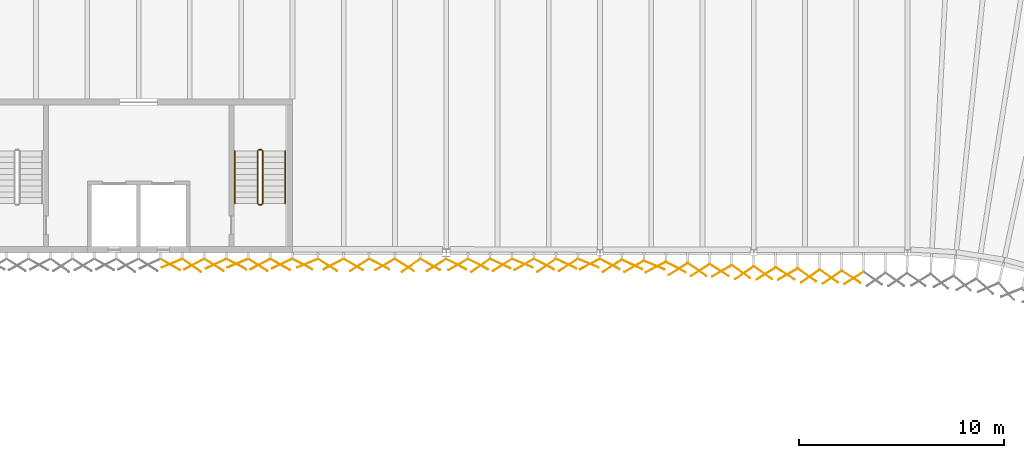
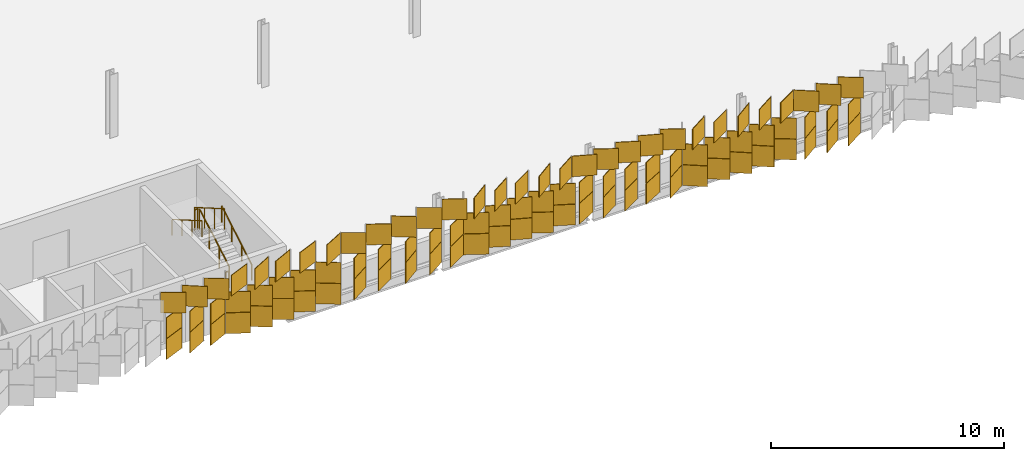
# One storey, part 191 of 198: 93 coverings, 6 railings.
"""IFC4 building model written with IfcOpenShell, lengths in metres."""

import ifcopenshell
import ifcopenshell.guid

model = None  # the IFC model being written
_history = None  # IfcOwnerHistory: only IFC2X3 demands one
_inside = {}  # id of a spatial element -> (the spatial element, [elements in it])
_under = {}  # id of a project, library or spatial element -> (it, [spatial elements below it])
_declared = {}  # id of a project -> (the project, [libraries it declares])
_typed = {}  # id of a type object -> (the type object, [elements of that type])
_made_of = {}  # id of a material, layer set ... -> (it, [elements and type objects made of it])


def new_model(schema):
    """Start an empty IFC model of exactly this schema.

    Asked for "IFC4X3", IfcOpenShell would pick the latest addendum, in which some entities
    have other attributes; the version numbers below select the first issue.
    IFC2X3 requires an IfcOwnerHistory on every rooted entity: one is made here for all.
    """
    global model, _history
    if schema == "IFC4X3":
        model = ifcopenshell.file(schema_version=(4, 3, 0, 0))
    else:
        model = ifcopenshell.file(schema=schema)
    _inside.clear()
    _under.clear()
    _declared.clear()
    _typed.clear()
    _made_of.clear()
    _history = None
    if model.schema == "IFC2X3":
        org = make("IfcOrganization", Name="unknown")
        user = make(
            "IfcPersonAndOrganization",
            ThePerson=make("IfcPerson", FamilyName="unknown"),
            TheOrganization=org,
        )
        app = make(
            "IfcApplication",
            ApplicationDeveloper=org,
            Version="unknown",
            ApplicationFullName="unknown",
            ApplicationIdentifier="unknown",
        )
        _history = make(
            "IfcOwnerHistory",
            OwningUser=user,
            OwningApplication=app,
            ChangeAction="ADDED",
            CreationDate=0,
        )
    return model


def make(cls, **values):
    """One entity of the class cls with the attributes given. An attribute that is None is left unset."""
    return model.create_entity(
        cls, **{name: value for name, value in values.items() if value is not None}
    )


def rooted(cls, **values):
    """An entity with a GlobalId (a new one), such as an element, a storey or a relation."""
    return make(cls, GlobalId=ifcopenshell.guid.new(), OwnerHistory=_history, **values)


def si_unit(unit_type, name, prefix=None):
    """IfcSIUnit, for example si_unit("LENGTHUNIT", "METRE", prefix="MILLI")."""
    return make("IfcSIUnit", UnitType=unit_type, Prefix=prefix, Name=name)


def assignment(units):
    """IfcUnitAssignment: the units of a project."""
    return None if units is None else make("IfcUnitAssignment", Units=units)


def point(xyz):
    """IfcCartesianPoint."""
    return None if xyz is None else make("IfcCartesianPoint", Coordinates=xyz)


def direction(xyz):
    """IfcDirection."""
    return None if xyz is None else make("IfcDirection", DirectionRatios=xyz)


def frame(location, z_axis=None, x_axis=None):
    """IfcAxis2Placement3D, a coordinate frame: its origin and axes. An axis left out is left unset."""
    return make(
        "IfcAxis2Placement3D",
        Location=point(location),
        Axis=direction(z_axis),
        RefDirection=direction(x_axis),
    )


def frame_2d(location, x_axis=None):
    """IfcAxis2Placement2D, a coordinate frame in the plane: its origin and x axis."""
    return make(
        "IfcAxis2Placement2D", Location=point(location), RefDirection=direction(x_axis)
    )


def origin():
    """The frame at (0, 0, 0) with its axes left unset."""
    return frame((0.0, 0.0, 0.0))


def origin_2d():
    """The frame at (0, 0) in the plane with its x axis left unset."""
    return frame_2d((0.0, 0.0))


def place(relative_to, where):
    """IfcLocalPlacement: puts the frame where relative to a parent placement (None: the world)."""
    return make(
        "IfcLocalPlacement", PlacementRelTo=relative_to, RelativePlacement=where
    )


def context(
    kind, dimensions, precision=None, world=None, true_north=None, identifier=None
):
    """IfcGeometricRepresentationContext, for example the 3D "Model" context."""
    return make(
        "IfcGeometricRepresentationContext",
        ContextIdentifier=identifier,
        ContextType=kind,
        CoordinateSpaceDimension=dimensions,
        Precision=precision,
        WorldCoordinateSystem=world,
        TrueNorth=true_north,
    )


def subcontext(parent, identifier, kind, view, scale=None):
    """IfcGeometricRepresentationSubContext, for example "Body" below "Model"."""
    return make(
        "IfcGeometricRepresentationSubContext",
        ContextIdentifier=identifier,
        ContextType=kind,
        ParentContext=parent,
        TargetScale=scale,
        TargetView=view,
    )


def project(units=None, contexts=None):
    """IfcProject with its units and contexts."""
    return rooted(
        "IfcProject",
        Name="project",
        RepresentationContexts=contexts,
        UnitsInContext=assignment(units),
    )


def spatial(cls, under=None, at=None, **own):
    """A site, building, storey or space (cls), placed at a placement, below another one or the project."""
    s = rooted(cls, ObjectPlacement=at, **own)
    if under is not None:
        _under.setdefault(under.id(), (under, []))[1].append(s)
    return s


def profile(cls, at=None, kind="AREA", **sizes):
    """A parametric profile (cls). Its sizes go by their IFC names, for example OverallWidth=200.0."""
    return make(cls, ProfileType=kind, Position=at, **sizes)


def rectangle(**sizes):
    """IfcRectangleProfileDef."""
    return profile("IfcRectangleProfileDef", **sizes)


def circle(**sizes):
    """IfcCircleProfileDef."""
    return profile("IfcCircleProfileDef", **sizes)


def extrude(swept, where, along, depth):
    """IfcExtrudedAreaSolid: the profile swept, set in the frame where, extruded along a direction by depth."""
    return make(
        "IfcExtrudedAreaSolid",
        SweptArea=swept,
        Position=where,
        ExtrudedDirection=direction(along),
        Depth=depth,
    )


def shape(context_of_items, identifier, shape_type, items):
    """IfcShapeRepresentation: the items that make up one representation, for example the "Body"."""
    return make(
        "IfcShapeRepresentation",
        ContextOfItems=context_of_items,
        RepresentationIdentifier=identifier,
        RepresentationType=shape_type,
        Items=items,
    )


def material(Name=None, Category=None):
    """IfcMaterial."""
    return make("IfcMaterial", Name=Name, Category=Category)


def layer(
    of_material, thickness, ventilated=None, Name=None, Category=None, Priority=None
):
    """IfcMaterialLayer: one layer of a wall or slab, of a material (None: an air gap)."""
    return make(
        "IfcMaterialLayer",
        Material=of_material,
        LayerThickness=thickness,
        IsVentilated=ventilated,
        Name=Name,
        Category=Category,
        Priority=Priority,
    )


def layer_set(layers, Name=None):
    """IfcMaterialLayerSet."""
    return make("IfcMaterialLayerSet", MaterialLayers=layers, LayerSetName=Name)


def made_of(thing, what):
    """Note that an element or type object is made of a material, layer set ...; save() writes the relation."""
    if what is not None:
        _made_of.setdefault(what.id(), (what, []))[1].append(thing)
    return thing


def type_object(cls, material=None, **own):
    """A type object (cls), such as IfcWallType, which elements share."""
    return made_of(rooted(cls, **own), material)


def element(
    cls,
    number,
    at=None,
    inside=None,
    cuts=None,
    type_object=None,
    material=None,
    context=None,
    identifier="Body",
    shape_type=None,
    held_by="IfcProductDefinitionShape",
    body=None,
    shapes=None,
    **own,
):
    """One element of the class cls, such as IfcWall. Its Tag is "e" and its number.

    at: its placement. inside: the storey or other place that contains it. cuts: it is an
    opening in that element (IfcRelVoidsElement). A single representation is given by context,
    identifier, shape_type and body (its items); several are given by shapes. held_by: the class
    of the entity that holds the representations. save() writes the other relations.
    """
    e = rooted(cls, Tag="e%d" % number, ObjectPlacement=at, **own)
    if body is not None:
        shapes = [shape(context, identifier, shape_type, body)]
    if shapes is not None:
        e.Representation = make(held_by, Representations=shapes)
    if inside is not None:
        _inside.setdefault(inside.id(), (inside, []))[1].append(e)
    if cuts is not None:
        rooted(
            "IfcRelVoidsElement", RelatingBuildingElement=cuts, RelatedOpeningElement=e
        )
    if type_object is not None:
        _typed.setdefault(type_object.id(), (type_object, []))[1].append(e)
    return made_of(e, material)


def aggregate(whole, parts):
    """IfcRelAggregates: a whole, such as a stair, and the parts it consists of."""
    return rooted("IfcRelAggregates", RelatingObject=whole, RelatedObjects=parts)


def save(model, path):
    """Write the relations noted so far, then the file.

    IfcRelAggregates (storeys below a building ...), IfcRelContainedInSpatialStructure (elements
    in a storey), IfcRelDefinesByType, IfcRelAssociatesMaterial and IfcRelDeclares: one each for
    every whole, place, type object, material and project.
    """
    for whole, parts in _under.values():
        aggregate(whole, parts)
    for where, things in _inside.values():
        rooted(
            "IfcRelContainedInSpatialStructure",
            RelatedElements=things,
            RelatingStructure=where,
        )
    for kind, things in _typed.values():
        rooted("IfcRelDefinesByType", RelatedObjects=things, RelatingType=kind)
    for what, things in _made_of.values():
        rooted("IfcRelAssociatesMaterial", RelatedObjects=things, RelatingMaterial=what)
    for by, libraries in _declared.values():
        rooted("IfcRelDeclares", RelatingContext=by, RelatedDefinitions=libraries)
    model.write(path)


model = new_model("IFC4")

# Units and contexts
model_context = context("Model", 3, precision=1e-05, world=origin(), true_north=direction((0.0, 1.0)))
body_context = subcontext(model_context, "Body", "Model", "MODEL_VIEW")
ifc_project = project(units=[si_unit("LENGTHUNIT", "METRE"), si_unit("AREAUNIT", "SQUARE_METRE"), si_unit("VOLUMEUNIT", "CUBIC_METRE"), si_unit("PLANEANGLEUNIT", "RADIAN"), si_unit("MASSUNIT", "GRAM", prefix="KILO")], contexts=[model_context])

# Site, building, storey
site_placement = place(None, origin())
site = spatial("IfcSite", under=ifc_project, at=site_placement, CompositionType="ELEMENT")
building_placement = place(site_placement, origin())
building = spatial("IfcBuilding", under=site, at=building_placement, Name="Parallax Yard Mobility Hub", CompositionType="ELEMENT")
storey_placement = place(building_placement, frame((0.0, 0.0, 6.60009765625)))
storey = spatial("IfcBuildingStorey", under=building, at=storey_placement, Name="L02", CompositionType="ELEMENT", Elevation=6.60009765625)

# Coverings
ifc_material_1 = material(Name="Aluminium panel, champagne finish", Category="aluminium")
ifc_layer_1 = layer(ifc_material_1, 0.030029296875)
ifc_layer_set_1 = layer_set([ifc_layer_1], Name="Skin panel 22.5 degree turn, champagne finish")
covering_type_1 = type_object("IfcCoveringType", Name="Skin panel 22.5 degree turn, champagne finish", PredefinedType="CLADDING", material=ifc_layer_set_1)
for number, where, z_axis, x_axis, name in (
    (1, (136.622802734375, 111.987060546875, 1.119873046875), (0.0, 0.0, 1.0), (-0.923879532511, -0.382683432365, 0.0), "Skin panel 22.5 bay 13.9 row 2 level L02"),
    (2, (139.839599609375, 111.987060546875, 2.219970703125), (0.0, 0.0, 1.0), (-0.923879532511, -0.382683432365, 0.0), "Skin panel 22.5 bay 13.12 row 3 level L02"),
    (3, (143.2333984375, 111.987060546875, 2.219970703125), (0.0, 0.0, 1.0), (-0.923879532511, -0.382683432365, 0.0), "Skin panel 22.5 bay 14.1 row 3 level L02"),
    (4, (153.721923828125, 111.987060546875, 1.119873046875), (0.0, 0.0, 1.0), (0.923879532511, -0.382683432365, 0.0), "Skin panel 22.5 bay 15.4 row 2 level L02"),
    (5, (156.9365234375, 111.987060546875, 2.219970703125), (0.0, 0.0, 1.0), (0.923879532511, -0.382683432365, 0.0), "Skin panel 22.5 bay 15.7 row 3 level L02"),
    (6, (160.151123046875, 111.892578125, 2.219970703125), (0.0, 0.0, 1.0), (0.923879532511, -0.382683432365, 0.0), "Skin panel 22.5 bay 16.3 row 3 level L02"),
):
    element("IfcCovering", number, at=place(storey_placement, frame(where, z_axis=z_axis, x_axis=x_axis)), inside=storey, type_object=covering_type_1, Name=name, ObjectType="SCREEN", PredefinedType="CLADDING", context=body_context, shape_type="SweptSolid", body=[
        extrude(rectangle(XDim=1.080078125, YDim=0.030029296875, at=origin_2d()), origin(), (0.0, 0.0, 1.0), 1.080078125),
    ])
ifc_material_2 = material(Name="Aluminium panel, light oak finish", Category="aluminium")
ifc_layer_2 = layer(ifc_material_2, 0.030029296875)
ifc_layer_set_2 = layer_set([ifc_layer_2], Name="Skin panel 22.5 degree turn, oak finish")
covering_type_2 = type_object("IfcCoveringType", Name="Skin panel 22.5 degree turn, oak finish", PredefinedType="CLADDING", material=ifc_layer_set_2)
for number, where, z_axis, x_axis, name in (
    (7, (136.622802734375, 111.987060546875, 0.019775390625), (0.0, 0.0, 1.0), (-0.923879532511, -0.382683432365, 0.0), "Skin panel 22.5 bay 13.9 row 1 level L02"),
    (8, (153.721923828125, 111.987060546875, 0.019775390625), (0.0, 0.0, 1.0), (0.923879532511, -0.382683432365, 0.0), "Skin panel 22.5 bay 15.4 row 1 level L02"),
):
    element("IfcCovering", number, at=place(storey_placement, frame(where, z_axis=z_axis, x_axis=x_axis)), inside=storey, type_object=covering_type_2, Name=name, ObjectType="SCREEN", PredefinedType="CLADDING", context=body_context, shape_type="SweptSolid", body=[
        extrude(rectangle(XDim=1.080078125, YDim=0.030029296875, at=origin_2d()), origin(), (0.0, 0.0, 1.0), 1.080078125),
    ])
ifc_layer_3 = layer(ifc_material_1, 0.030029296875)
ifc_layer_set_3 = layer_set([ifc_layer_3], Name="Skin panel 25 degree turn, champagne finish")
covering_type_3 = type_object("IfcCoveringType", Name="Skin panel 25 degree turn, champagne finish", PredefinedType="CLADDING", material=ifc_layer_set_3)
for number, where, z_axis, x_axis, name in (
    (9, (138.777099609375, 111.96484375, 1.119873046875), (0.0, 0.0, 1.0), (-0.906307787037, -0.422618261741, 0.0), "Skin panel 25 bay 13.11 row 2 level L02"),
    (10, (141.993896484375, 111.96484375, 2.219970703125), (0.0, 0.0, 1.0), (-0.906307787037, -0.422618261741, 0.0), "Skin panel 25 bay 13.14 row 3 level L02"),
    (11, (152.640869140625, 111.96484375, 1.119873046875), (0.0, 0.0, 1.0), (0.906307787037, -0.422618261741, 0.0), "Skin panel 25 bay 15.3 row 2 level L02"),
    (12, (155.855224609375, 111.96484375, 1.119873046875), (0.0, 0.0, 1.0), (0.906307787037, -0.422618261741, 0.0), "Skin panel 25 bay 15.6 row 2 level L02"),
    (13, (159.06982421875, 111.923828125, 2.219970703125), (0.0, 0.0, 1.0), (0.906307787037, -0.422618261741, 0.0), "Skin panel 25 bay 16.2 row 3 level L02"),
):
    element("IfcCovering", number, at=place(storey_placement, frame(where, z_axis=z_axis, x_axis=x_axis)), inside=storey, type_object=covering_type_3, Name=name, ObjectType="SCREEN", PredefinedType="CLADDING", context=body_context, shape_type="SweptSolid", body=[
        extrude(rectangle(XDim=1.080078125, YDim=0.030029296875, at=origin_2d()), origin(), (0.0, 0.0, 1.0), 1.080078125),
    ])
ifc_layer_4 = layer(ifc_material_2, 0.030029296875)
ifc_layer_set_4 = layer_set([ifc_layer_4], Name="Skin panel 25 degree turn, oak finish")
covering_type_4 = type_object("IfcCoveringType", Name="Skin panel 25 degree turn, oak finish", PredefinedType="CLADDING", material=ifc_layer_set_4)
for number, where, z_axis, x_axis, name in (
    (14, (138.777099609375, 111.96484375, 0.019775390625), (0.0, 0.0, 1.0), (-0.906307787037, -0.422618261741, 0.0), "Skin panel 25 bay 13.11 row 1 level L02"),
    (15, (152.640869140625, 111.96484375, 0.019775390625), (0.0, 0.0, 1.0), (0.906307787037, -0.422618261741, 0.0), "Skin panel 25 bay 15.3 row 1 level L02"),
    (16, (155.855224609375, 111.96484375, 0.019775390625), (0.0, 0.0, 1.0), (0.906307787037, -0.422618261741, 0.0), "Skin panel 25 bay 15.6 row 1 level L02"),
):
    element("IfcCovering", number, at=place(storey_placement, frame(where, z_axis=z_axis, x_axis=x_axis)), inside=storey, type_object=covering_type_4, Name=name, ObjectType="SCREEN", PredefinedType="CLADDING", context=body_context, shape_type="SweptSolid", body=[
        extrude(rectangle(XDim=1.080078125, YDim=0.030029296875, at=origin_2d()), origin(), (0.0, 0.0, 1.0), 1.080078125),
    ])
ifc_layer_5 = layer(ifc_material_1, 0.030029296875)
ifc_layer_set_5 = layer_set([ifc_layer_5], Name="Skin panel 27.5 degree turn, champagne finish")
covering_type_5 = type_object("IfcCoveringType", Name="Skin panel 27.5 degree turn, champagne finish", PredefinedType="CLADDING", material=ifc_layer_set_5)
for number, where, z_axis, x_axis, name in (
    (17, (137.7158203125, 111.943115234375, 1.119873046875), (0.0, 0.0, 1.0), (-0.887010833178, -0.461748613235, 0.0), "Skin panel 27.5 bay 13.10 row 2 level L02"),
    (18, (139.77490234375, 111.943115234375, 1.119873046875), (0.0, 0.0, 1.0), (0.887010833178, -0.461748613235, 0.0), "Skin panel 27.5 bay 13.12 row 2 level L02"),
    (19, (140.932373046875, 111.943115234375, 2.219970703125), (0.0, 0.0, 1.0), (-0.887010833178, -0.461748613235, 0.0), "Skin panel 27.5 bay 13.13 row 3 level L02"),
    (20, (142.991455078125, 111.943115234375, 1.119873046875), (0.0, 0.0, 1.0), (0.887010833178, -0.461748613235, 0.0), "Skin panel 27.5 bay 14.1 row 2 level L02"),
    (21, (144.5029296875, 111.943115234375, 2.219970703125), (0.0, 0.0, 1.0), (-0.887010833178, -0.461748613235, 0.0), "Skin panel 27.5 bay 14.2 row 3 level L02"),
    (22, (146.7392578125, 111.943115234375, 2.219970703125), (0.0, 0.0, 1.0), (0.887010833178, -0.461748613235, 0.0), "Skin panel 27.5 bay 14.4 row 3 level L02"),
    (23, (150.487060546875, 111.943115234375, 2.219970703125), (0.0, 0.0, 1.0), (0.887010833178, -0.461748613235, 0.0), "Skin panel 27.5 bay 15.1 row 3 level L02"),
    (24, (151.55859375, 111.943115234375, 1.119873046875), (0.0, 0.0, 1.0), (0.887010833178, -0.461748613235, 0.0), "Skin panel 27.5 bay 15.2 row 2 level L02"),
    (25, (154.77294921875, 111.943115234375, 1.119873046875), (0.0, 0.0, 1.0), (0.887010833178, -0.461748613235, 0.0), "Skin panel 27.5 bay 15.5 row 2 level L02"),
    (26, (157.00048828125, 111.943115234375, 1.119873046875), (0.0, 0.0, 1.0), (-0.887010833178, -0.461748613235, 0.0), "Skin panel 27.5 bay 15.7 row 2 level L02"),
    (27, (157.987548828125, 111.943115234375, 2.219970703125), (0.0, 0.0, 1.0), (0.887010833178, -0.461748613235, 0.0), "Skin panel 27.5 bay 16.1 row 3 level L02"),
    (28, (160.215087890625, 111.794921875, 1.119873046875), (0.0, 0.0, 1.0), (-0.887010833178, -0.461748613235, 0.0), "Skin panel 27.5 bay 16.3 row 2 level L02"),
    (29, (161.2021484375, 111.794921875, 2.219970703125), (0.0, 0.0, 1.0), (0.887010833178, -0.461748613235, 0.0), "Skin panel 27.5 bay 16.4 row 3 level L02"),
):
    element("IfcCovering", number, at=place(storey_placement, frame(where, z_axis=z_axis, x_axis=x_axis)), inside=storey, type_object=covering_type_5, Name=name, ObjectType="SCREEN", PredefinedType="CLADDING", context=body_context, shape_type="SweptSolid", body=[
        extrude(rectangle(XDim=1.080078125, YDim=0.030029296875, at=origin_2d()), origin(), (0.0, 0.0, 1.0), 1.080078125),
    ])
ifc_layer_6 = layer(ifc_material_2, 0.030029296875)
ifc_layer_set_6 = layer_set([ifc_layer_6], Name="Skin panel 27.5 degree turn, oak finish")
covering_type_6 = type_object("IfcCoveringType", Name="Skin panel 27.5 degree turn, oak finish", PredefinedType="CLADDING", material=ifc_layer_set_6)
for number, where, z_axis, x_axis, name in (
    (30, (137.7158203125, 111.943115234375, 0.019775390625), (0.0, 0.0, 1.0), (-0.887010833178, -0.461748613235, 0.0), "Skin panel 27.5 bay 13.10 row 1 level L02"),
    (31, (139.77490234375, 111.943115234375, 0.019775390625), (0.0, 0.0, 1.0), (0.887010833178, -0.461748613235, 0.0), "Skin panel 27.5 bay 13.12 row 1 level L02"),
    (32, (142.991455078125, 111.943115234375, 0.019775390625), (0.0, 0.0, 1.0), (0.887010833178, -0.461748613235, 0.0), "Skin panel 27.5 bay 14.1 row 1 level L02"),
    (33, (151.55859375, 111.943115234375, 0.019775390625), (0.0, 0.0, 1.0), (0.887010833178, -0.461748613235, 0.0), "Skin panel 27.5 bay 15.2 row 1 level L02"),
    (34, (154.77294921875, 111.943115234375, 0.019775390625), (0.0, 0.0, 1.0), (0.887010833178, -0.461748613235, 0.0), "Skin panel 27.5 bay 15.5 row 1 level L02"),
    (35, (157.00048828125, 111.943115234375, 0.019775390625), (0.0, 0.0, 1.0), (-0.887010833178, -0.461748613235, 0.0), "Skin panel 27.5 bay 15.7 row 1 level L02"),
    (36, (160.215087890625, 111.794921875, 0.019775390625), (0.0, 0.0, 1.0), (-0.887010833178, -0.461748613235, 0.0), "Skin panel 27.5 bay 16.3 row 1 level L02"),
):
    element("IfcCovering", number, at=place(storey_placement, frame(where, z_axis=z_axis, x_axis=x_axis)), inside=storey, type_object=covering_type_6, Name=name, ObjectType="SCREEN", PredefinedType="CLADDING", context=body_context, shape_type="SweptSolid", body=[
        extrude(rectangle(XDim=1.080078125, YDim=0.030029296875, at=origin_2d()), origin(), (0.0, 0.0, 1.0), 1.080078125),
    ])
ifc_layer_7 = layer(ifc_material_1, 0.030029296875)
ifc_layer_set_7 = layer_set([ifc_layer_7], Name="Skin panel 30 degree turn, champagne finish")
covering_type_7 = type_object("IfcCoveringType", Name="Skin panel 30 degree turn, champagne finish", PredefinedType="CLADDING", material=ifc_layer_set_7)
for number, where, z_axis, x_axis, name in (
    (37, (136.54638671875, 111.921875, 2.219970703125), (0.0, 0.0, 1.0), (0.866025403784, -0.5, 0.0), "Skin panel 30 bay 13.9 row 3 level L02"),
    (38, (141.90771484375, 111.921875, 1.119873046875), (0.0, 0.0, 1.0), (0.866025403784, -0.5, 0.0), "Skin panel 30 bay 13.14 row 2 level L02"),
    (39, (145.478271484375, 111.921875, 2.219970703125), (0.0, 0.0, 1.0), (0.866025403784, -0.5, 0.0), "Skin panel 30 bay 14.3 row 3 level L02"),
    (40, (147.01318359375, 111.921875, 1.119873046875), (0.0, 0.0, 1.0), (-0.866025403784, -0.5, 0.0), "Skin panel 30 bay 14.4 row 2 level L02"),
    (41, (149.22607421875, 111.921875, 2.219970703125), (0.0, 0.0, 1.0), (0.866025403784, -0.5, 0.0), "Skin panel 30 bay 14.6 row 3 level L02"),
    (42, (150.583251953125, 111.921875, 1.119873046875), (0.0, 0.0, 1.0), (-0.866025403784, -0.5, 0.0), "Skin panel 30 bay 15.1 row 2 level L02"),
    (43, (153.797607421875, 111.921875, 2.219970703125), (0.0, 0.0, 1.0), (-0.866025403784, -0.5, 0.0), "Skin panel 30 bay 15.4 row 3 level L02"),
    (44, (159.1552734375, 111.8271484375, 1.119873046875), (0.0, 0.0, 1.0), (-0.866025403784, -0.5, 0.0), "Skin panel 30 bay 16.2 row 2 level L02"),
    (45, (163.44140625, 111.61279296875, 2.219970703125), (0.0, 0.0, 1.0), (-0.866025403784, -0.5, 0.0), "Skin panel 30 bay 16.6 row 3 level L02"),
    (46, (166.65576171875, 111.4521484375, 2.219970703125), (0.0, 0.0, 1.0), (-0.866025403784, -0.5, 0.0), "Skin panel 30 bay 17.2 row 3 level L02"),
):
    element("IfcCovering", number, at=place(storey_placement, frame(where, z_axis=z_axis, x_axis=x_axis)), inside=storey, type_object=covering_type_7, Name=name, ObjectType="SCREEN", PredefinedType="CLADDING", context=body_context, shape_type="SweptSolid", body=[
        extrude(rectangle(XDim=1.080078125, YDim=0.030029296875, at=origin_2d()), origin(), (0.0, 0.0, 1.0), 1.080078125),
    ])
ifc_layer_8 = layer(ifc_material_2, 0.030029296875)
ifc_layer_set_8 = layer_set([ifc_layer_8], Name="Skin panel 30 degree turn, oak finish")
covering_type_8 = type_object("IfcCoveringType", Name="Skin panel 30 degree turn, oak finish", PredefinedType="CLADDING", material=ifc_layer_set_8)
for number, where, z_axis, x_axis, name in (
    (47, (141.90771484375, 111.921875, 0.019775390625), (0.0, 0.0, 1.0), (0.866025403784, -0.5, 0.0), "Skin panel 30 bay 13.14 row 1 level L02"),
    (48, (147.01318359375, 111.921875, 0.019775390625), (0.0, 0.0, 1.0), (-0.866025403784, -0.5, 0.0), "Skin panel 30 bay 14.4 row 1 level L02"),
    (49, (150.583251953125, 111.921875, 0.019775390625), (0.0, 0.0, 1.0), (-0.866025403784, -0.5, 0.0), "Skin panel 30 bay 15.1 row 1 level L02"),
    (50, (159.1552734375, 111.8271484375, 0.019775390625), (0.0, 0.0, 1.0), (-0.866025403784, -0.5, 0.0), "Skin panel 30 bay 16.2 row 1 level L02"),
):
    element("IfcCovering", number, at=place(storey_placement, frame(where, z_axis=z_axis, x_axis=x_axis)), inside=storey, type_object=covering_type_8, Name=name, ObjectType="SCREEN", PredefinedType="CLADDING", context=body_context, shape_type="SweptSolid", body=[
        extrude(rectangle(XDim=1.080078125, YDim=0.030029296875, at=origin_2d()), origin(), (0.0, 0.0, 1.0), 1.080078125),
    ])
ifc_layer_9 = layer(ifc_material_1, 0.030029296875)
ifc_layer_set_9 = layer_set([ifc_layer_9], Name="Skin panel 32.5 degree turn, champagne finish")
covering_type_9 = type_object("IfcCoveringType", Name="Skin panel 32.5 degree turn, champagne finish", PredefinedType="CLADDING", material=ifc_layer_set_9)
for number, where, z_axis, x_axis, name in (
    (51, (138.678466796875, 111.901123046875, 2.219970703125), (0.0, 0.0, 1.0), (0.843391445813, -0.537299608347, 0.0), "Skin panel 32.5 bay 13.11 row 3 level L02"),
    (52, (140.82275390625, 111.901123046875, 1.119873046875), (0.0, 0.0, 1.0), (0.843391445813, -0.537299608347, 0.0), "Skin panel 32.5 bay 13.13 row 2 level L02"),
    (53, (144.216552734375, 111.901123046875, 1.119873046875), (0.0, 0.0, 1.0), (0.843391445813, -0.537299608347, 0.0), "Skin panel 32.5 bay 14.2 row 2 level L02"),
    (54, (145.776611328125, 111.901123046875, 1.119873046875), (0.0, 0.0, 1.0), (-0.843391445813, -0.537299608347, 0.0), "Skin panel 32.5 bay 14.3 row 2 level L02"),
    (55, (147.96435546875, 111.901123046875, 2.219970703125), (0.0, 0.0, 1.0), (0.843391445813, -0.537299608347, 0.0), "Skin panel 32.5 bay 14.5 row 3 level L02"),
    (56, (149.5244140625, 111.901123046875, 1.119873046875), (0.0, 0.0, 1.0), (-0.843391445813, -0.537299608347, 0.0), "Skin panel 32.5 bay 14.6 row 2 level L02"),
    (57, (152.73876953125, 111.901123046875, 2.219970703125), (0.0, 0.0, 1.0), (-0.843391445813, -0.537299608347, 0.0), "Skin panel 32.5 bay 15.3 row 3 level L02"),
    (58, (155.953369140625, 111.901123046875, 2.219970703125), (0.0, 0.0, 1.0), (-0.843391445813, -0.537299608347, 0.0), "Skin panel 32.5 bay 15.6 row 3 level L02"),
    (59, (158.09619140625, 111.860107421875, 1.119873046875), (0.0, 0.0, 1.0), (-0.843391445813, -0.537299608347, 0.0), "Skin panel 32.5 bay 16.1 row 2 level L02"),
    (60, (161.310791015625, 111.69921875, 1.119873046875), (0.0, 0.0, 1.0), (-0.843391445813, -0.537299608347, 0.0), "Skin panel 32.5 bay 16.4 row 2 level L02"),
    (61, (162.38232421875, 111.645751953125, 2.219970703125), (0.0, 0.0, 1.0), (-0.843391445813, -0.537299608347, 0.0), "Skin panel 32.5 bay 16.5 row 3 level L02"),
    (62, (163.32080078125, 111.645751953125, 1.119873046875), (0.0, 0.0, 1.0), (0.843391445813, -0.537299608347, 0.0), "Skin panel 32.5 bay 16.6 row 2 level L02"),
    (63, (165.596923828125, 111.485107421875, 2.219970703125), (0.0, 0.0, 1.0), (-0.843391445813, -0.537299608347, 0.0), "Skin panel 32.5 bay 17.1 row 3 level L02"),
    (64, (166.535400390625, 111.485107421875, 1.119873046875), (0.0, 0.0, 1.0), (0.843391445813, -0.537299608347, 0.0), "Skin panel 32.5 bay 17.2 row 2 level L02"),
    (65, (169.8828125, 111.270751953125, 1.119873046875), (0.0, 0.0, 1.0), (-0.843391445813, -0.537299608347, 0.0), "Skin panel 32.5 bay 17.5 row 2 level L02"),
    (66, (169.749755859375, 111.32421875, 2.219970703125), (0.0, 0.0, 1.0), (0.843391445813, -0.537299608347, 0.0), "Skin panel 32.5 bay 17.5 row 3 level L02"),
):
    element("IfcCovering", number, at=place(storey_placement, frame(where, z_axis=z_axis, x_axis=x_axis)), inside=storey, type_object=covering_type_9, Name=name, ObjectType="SCREEN", PredefinedType="CLADDING", context=body_context, shape_type="SweptSolid", body=[
        extrude(rectangle(XDim=1.080078125, YDim=0.030029296875, at=origin_2d()), origin(), (0.0, 0.0, 1.0), 1.080078125),
    ])
ifc_layer_10 = layer(ifc_material_2, 0.030029296875)
ifc_layer_set_10 = layer_set([ifc_layer_10], Name="Skin panel 32.5 degree turn, oak finish")
covering_type_10 = type_object("IfcCoveringType", Name="Skin panel 32.5 degree turn, oak finish", PredefinedType="CLADDING", material=ifc_layer_set_10)
for number, where, z_axis, x_axis, name in (
    (67, (140.82275390625, 111.901123046875, 0.019775390625), (0.0, 0.0, 1.0), (0.843391445813, -0.537299608347, 0.0), "Skin panel 32.5 bay 13.13 row 1 level L02"),
    (68, (144.216552734375, 111.901123046875, 0.019775390625), (0.0, 0.0, 1.0), (0.843391445813, -0.537299608347, 0.0), "Skin panel 32.5 bay 14.2 row 1 level L02"),
    (69, (145.776611328125, 111.901123046875, 0.019775390625), (0.0, 0.0, 1.0), (-0.843391445813, -0.537299608347, 0.0), "Skin panel 32.5 bay 14.3 row 1 level L02"),
    (70, (149.5244140625, 111.901123046875, 0.019775390625), (0.0, 0.0, 1.0), (-0.843391445813, -0.537299608347, 0.0), "Skin panel 32.5 bay 14.6 row 1 level L02"),
    (71, (158.09619140625, 111.860107421875, 0.019775390625), (0.0, 0.0, 1.0), (-0.843391445813, -0.537299608347, 0.0), "Skin panel 32.5 bay 16.1 row 1 level L02"),
    (72, (161.310791015625, 111.69921875, 0.019775390625), (0.0, 0.0, 1.0), (-0.843391445813, -0.537299608347, 0.0), "Skin panel 32.5 bay 16.4 row 1 level L02"),
    (73, (163.32080078125, 111.645751953125, 0.019775390625), (0.0, 0.0, 1.0), (0.843391445813, -0.537299608347, 0.0), "Skin panel 32.5 bay 16.6 row 1 level L02"),
    (74, (166.535400390625, 111.485107421875, 0.019775390625), (0.0, 0.0, 1.0), (0.843391445813, -0.537299608347, 0.0), "Skin panel 32.5 bay 17.2 row 1 level L02"),
    (75, (169.8828125, 111.270751953125, 0.019775390625), (0.0, 0.0, 1.0), (-0.843391445813, -0.537299608347, 0.0), "Skin panel 32.5 bay 17.5 row 1 level L02"),
):
    element("IfcCovering", number, at=place(storey_placement, frame(where, z_axis=z_axis, x_axis=x_axis)), inside=storey, type_object=covering_type_10, Name=name, ObjectType="SCREEN", PredefinedType="CLADDING", context=body_context, shape_type="SweptSolid", body=[
        extrude(rectangle(XDim=1.080078125, YDim=0.030029296875, at=origin_2d()), origin(), (0.0, 0.0, 1.0), 1.080078125),
    ])
ifc_layer_11 = layer(ifc_material_1, 0.030029296875)
ifc_layer_set_11 = layer_set([ifc_layer_11], Name="Skin panel 35 degree turn, champagne finish")
covering_type_11 = type_object("IfcCoveringType", Name="Skin panel 35 degree turn, champagne finish", PredefinedType="CLADDING", material=ifc_layer_set_11)
for number, where, z_axis, x_axis, name in (
    (76, (137.5927734375, 111.880859375, 2.219970703125), (0.0, 0.0, 1.0), (0.819152044289, -0.573576436351, 0.0), "Skin panel 35 bay 13.10 row 3 level L02"),
    (77, (148.28857421875, 111.880859375, 1.119873046875), (0.0, 0.0, 1.0), (-0.819152044289, -0.573576436351, 0.0), "Skin panel 35 bay 14.5 row 2 level L02"),
    (78, (151.680908203125, 111.880859375, 2.219970703125), (0.0, 0.0, 1.0), (-0.819152044289, -0.573576436351, 0.0), "Skin panel 35 bay 15.2 row 3 level L02"),
    (79, (154.895263671875, 111.880859375, 2.219970703125), (0.0, 0.0, 1.0), (-0.819152044289, -0.573576436351, 0.0), "Skin panel 35 bay 15.5 row 3 level L02"),
    (80, (162.23583984375, 111.67919921875, 1.119873046875), (0.0, 0.0, 1.0), (0.819152044289, -0.573576436351, 0.0), "Skin panel 35 bay 16.5 row 2 level L02"),
    (81, (164.37890625, 111.572021484375, 1.119873046875), (0.0, 0.0, 1.0), (0.819152044289, -0.573576436351, 0.0), "Skin panel 35 bay 16.7 row 2 level L02"),
    (82, (164.538818359375, 111.518310546875, 2.219970703125), (0.0, 0.0, 1.0), (-0.819152044289, -0.573576436351, 0.0), "Skin panel 35 bay 16.7 row 3 level L02"),
    (83, (165.4501953125, 111.518310546875, 1.119873046875), (0.0, 0.0, 1.0), (0.819152044289, -0.573576436351, 0.0), "Skin panel 35 bay 17.1 row 2 level L02"),
    (84, (167.75341796875, 111.357666015625, 1.119873046875), (0.0, 0.0, 1.0), (-0.819152044289, -0.573576436351, 0.0), "Skin panel 35 bay 17.3 row 2 level L02"),
    (85, (167.59326171875, 111.4111328125, 2.219970703125), (0.0, 0.0, 1.0), (0.819152044289, -0.573576436351, 0.0), "Skin panel 35 bay 17.3 row 3 level L02"),
    (86, (168.82470703125, 111.30419921875, 1.119873046875), (0.0, 0.0, 1.0), (-0.819152044289, -0.573576436351, 0.0), "Skin panel 35 bay 17.4 row 2 level L02"),
    (87, (168.664794921875, 111.357666015625, 2.219970703125), (0.0, 0.0, 1.0), (0.819152044289, -0.573576436351, 0.0), "Skin panel 35 bay 17.4 row 3 level L02"),
):
    element("IfcCovering", number, at=place(storey_placement, frame(where, z_axis=z_axis, x_axis=x_axis)), inside=storey, type_object=covering_type_11, Name=name, ObjectType="SCREEN", PredefinedType="CLADDING", context=body_context, shape_type="SweptSolid", body=[
        extrude(rectangle(XDim=1.080078125, YDim=0.030029296875, at=origin_2d()), origin(), (0.0, 0.0, 1.0), 1.080078125),
    ])
ifc_layer_12 = layer(ifc_material_2, 0.030029296875)
ifc_layer_set_12 = layer_set([ifc_layer_12], Name="Skin panel 35 degree turn, oak finish")
covering_type_12 = type_object("IfcCoveringType", Name="Skin panel 35 degree turn, oak finish", PredefinedType="CLADDING", material=ifc_layer_set_12)
for number, where, z_axis, x_axis, name in (
    (88, (148.28857421875, 111.880859375, 0.019775390625), (0.0, 0.0, 1.0), (-0.819152044289, -0.573576436351, 0.0), "Skin panel 35 bay 14.5 row 1 level L02"),
    (89, (162.23583984375, 111.67919921875, 0.019775390625), (0.0, 0.0, 1.0), (0.819152044289, -0.573576436351, 0.0), "Skin panel 35 bay 16.5 row 1 level L02"),
    (90, (164.37890625, 111.572021484375, 0.019775390625), (0.0, 0.0, 1.0), (0.819152044289, -0.573576436351, 0.0), "Skin panel 35 bay 16.7 row 1 level L02"),
    (91, (165.4501953125, 111.518310546875, 0.019775390625), (0.0, 0.0, 1.0), (0.819152044289, -0.573576436351, 0.0), "Skin panel 35 bay 17.1 row 1 level L02"),
    (92, (167.75341796875, 111.357666015625, 0.019775390625), (0.0, 0.0, 1.0), (-0.819152044289, -0.573576436351, 0.0), "Skin panel 35 bay 17.3 row 1 level L02"),
    (93, (168.82470703125, 111.30419921875, 0.019775390625), (0.0, 0.0, 1.0), (-0.819152044289, -0.573576436351, 0.0), "Skin panel 35 bay 17.4 row 1 level L02"),
):
    element("IfcCovering", number, at=place(storey_placement, frame(where, z_axis=z_axis, x_axis=x_axis)), inside=storey, type_object=covering_type_12, Name=name, ObjectType="SCREEN", PredefinedType="CLADDING", context=body_context, shape_type="SweptSolid", body=[
        extrude(rectangle(XDim=1.080078125, YDim=0.030029296875, at=origin_2d()), origin(), (0.0, 0.0, 1.0), 1.080078125),
    ])

# Railings
ifc_material_3 = material(Name="Steel ASTM A36", Category="steel")
railing_type_1 = type_object("IfcRailingType", Name="Stair guard 1100", PredefinedType="GUARDRAIL", material=ifc_material_3)
railing_1_placement = place(storey_placement, frame((141.050048828125, 114.89990234375, 0.164794921875)))
element("IfcRailing", 94, at=railing_1_placement, inside=storey, type_object=railing_type_1, Name="L02 ST5 stair guard 1", PredefinedType="GUARDRAIL", context=body_context, shape_type="SweptSolid", body=[
    extrude(circle(Radius=0.02392578125, at=origin_2d()), frame((0.0, 0.0, 1.076171875), z_axis=(0.0, 0.865426285481, 0.501036270542), x_axis=(-1.0, 0.0, 0.0)), (0.0, 0.0, 1.0), 2.964111328125),
    extrude(circle(Radius=0.02099609375, at=origin_2d()), origin(), (0.0, 0.0, 1.0), 1.052001953125),
    extrude(circle(Radius=0.02099609375, at=origin_2d()), frame((0.0, 0.85498046875, 0.4951171875)), (0.0, 0.0, 1.0), 1.052001953125),
    extrude(circle(Radius=0.02099609375, at=origin_2d()), frame((0.0, 1.710205078125, 0.989990234375)), (0.0, 0.0, 1.0), 1.052001953125),
    extrude(circle(Radius=0.02099609375, at=origin_2d()), frame((0.0, 2.565185546875, 1.485107421875)), (0.0, 0.0, 1.0), 1.052001953125),
])
railing_2_placement = place(storey_placement, frame((141.0, 117.514892578125, 1.64990234375)))
element("IfcRailing", 95, at=railing_2_placement, inside=storey, type_object=railing_type_1, Name="L02 ST5 stair guard 2", PredefinedType="GUARDRAIL", context=body_context, shape_type="SweptSolid", body=[
    extrude(circle(Radius=0.02392578125, at=origin_2d()), frame((0.0, 0.0, 1.076171875), z_axis=(-1.0, 0.0, 0.0), x_axis=(0.0, -1.0, 0.0)), (0.0, 0.0, 1.0), 0.14990234375),
    extrude(circle(Radius=0.02099609375, at=origin_2d()), origin(), (0.0, 0.0, 1.0), 1.052001953125),
    extrude(circle(Radius=0.02099609375, at=origin_2d()), frame((-0.14990234375, 0.0, 0.0)), (0.0, 0.0, 1.0), 1.052001953125),
])
railing_3_placement = place(storey_placement, frame((140.800048828125, 117.465087890625, 1.81494140625)))
element("IfcRailing", 96, at=railing_3_placement, inside=storey, type_object=railing_type_1, Name="L02 ST5 stair guard 3", PredefinedType="GUARDRAIL", context=body_context, shape_type="SweptSolid", body=[
    extrude(circle(Radius=0.02392578125, at=origin_2d()), frame((0.0, 0.0, 1.076171875), z_axis=(0.0, -0.865461999751, 0.500974577186), x_axis=(1.0, 0.0, 0.0)), (0.0, 0.0, 1.0), 2.9638671875),
    extrude(circle(Radius=0.02099609375, at=origin_2d()), origin(), (0.0, 0.0, 1.0), 1.052001953125),
    extrude(circle(Radius=0.02099609375, at=origin_2d()), frame((0.0, -0.85498046875, 0.494873046875)), (0.0, 0.0, 1.0), 1.052001953125),
    extrude(circle(Radius=0.02099609375, at=origin_2d()), frame((0.0, -1.710205078125, 0.989990234375)), (0.0, 0.0, 1.0), 1.052001953125),
    extrude(circle(Radius=0.02099609375, at=origin_2d()), frame((0.0, -2.565185546875, 1.48486328125)), (0.0, 0.0, 1.0), 1.052001953125),
])
railing_4_placement = place(storey_placement, frame((141.0, 114.85009765625, 0.0)))
element("IfcRailing", 97, at=railing_4_placement, inside=storey, type_object=railing_type_1, Name="L02 ST5 stair guard 4", PredefinedType="GUARDRAIL", context=body_context, shape_type="SweptSolid", body=[
    extrude(circle(Radius=0.02392578125, at=origin_2d()), frame((0.0, 0.0, 1.076171875), z_axis=(-1.0, 0.0, 0.0), x_axis=(0.0, -1.0, 0.0)), (0.0, 0.0, 1.0), 0.14990234375),
    extrude(circle(Radius=0.02099609375, at=origin_2d()), origin(), (0.0, 0.0, 1.0), 1.052001953125),
    extrude(circle(Radius=0.02099609375, at=origin_2d()), frame((-0.14990234375, 0.0, 0.0)), (0.0, 0.0, 1.0), 1.052001953125),
])
railing_type_2 = type_object("IfcRailingType", Name="Stair handrail", PredefinedType="HANDRAIL", material=ifc_material_3)
railing_5_placement = place(storey_placement, frame((142.14990234375, 114.89990234375, 0.164794921875)))
element("IfcRailing", 98, at=railing_5_placement, inside=storey, type_object=railing_type_2, Name="L02 ST5 stair handrail 1", PredefinedType="HANDRAIL", context=body_context, shape_type="SweptSolid", body=[
    extrude(circle(Radius=0.02392578125, at=origin_2d()), frame((0.0, 0.0, 0.8310546875), z_axis=(0.0, 0.865426285481, 0.501036270542), x_axis=(-1.0, 0.0, 0.0)), (0.0, 0.0, 1.0), 2.964111328125),
    extrude(circle(Radius=0.02099609375, at=origin_2d()), origin(), (0.0, 0.0, 1.0), 0.806884765625),
    extrude(circle(Radius=0.02099609375, at=origin_2d()), frame((0.0, 0.85498046875, 0.4951171875)), (0.0, 0.0, 1.0), 0.806884765625),
    extrude(circle(Radius=0.02099609375, at=origin_2d()), frame((0.0, 1.710205078125, 0.989990234375)), (0.0, 0.0, 1.0), 0.806884765625),
    extrude(circle(Radius=0.02099609375, at=origin_2d()), frame((0.0, 2.565185546875, 1.485107421875)), (0.0, 0.0, 1.0), 0.806884765625),
])
railing_6_placement = place(storey_placement, frame((139.699951171875, 117.465087890625, 1.81494140625)))
element("IfcRailing", 99, at=railing_6_placement, inside=storey, type_object=railing_type_2, Name="L02 ST5 stair handrail 2", PredefinedType="HANDRAIL", context=body_context, shape_type="SweptSolid", body=[
    extrude(circle(Radius=0.02392578125, at=origin_2d()), frame((0.0, 0.0, 0.8310546875), z_axis=(0.0, -0.865461999751, 0.500974577186), x_axis=(1.0, 0.0, 0.0)), (0.0, 0.0, 1.0), 2.9638671875),
    extrude(circle(Radius=0.02099609375, at=origin_2d()), origin(), (0.0, 0.0, 1.0), 0.806884765625),
    extrude(circle(Radius=0.02099609375, at=origin_2d()), frame((0.0, -0.85498046875, 0.494873046875)), (0.0, 0.0, 1.0), 0.806884765625),
    extrude(circle(Radius=0.02099609375, at=origin_2d()), frame((0.0, -1.710205078125, 0.989990234375)), (0.0, 0.0, 1.0), 0.806884765625),
    extrude(circle(Radius=0.02099609375, at=origin_2d()), frame((0.0, -2.565185546875, 1.48486328125)), (0.0, 0.0, 1.0), 0.806884765625),
])

save(model, "model.ifc")
